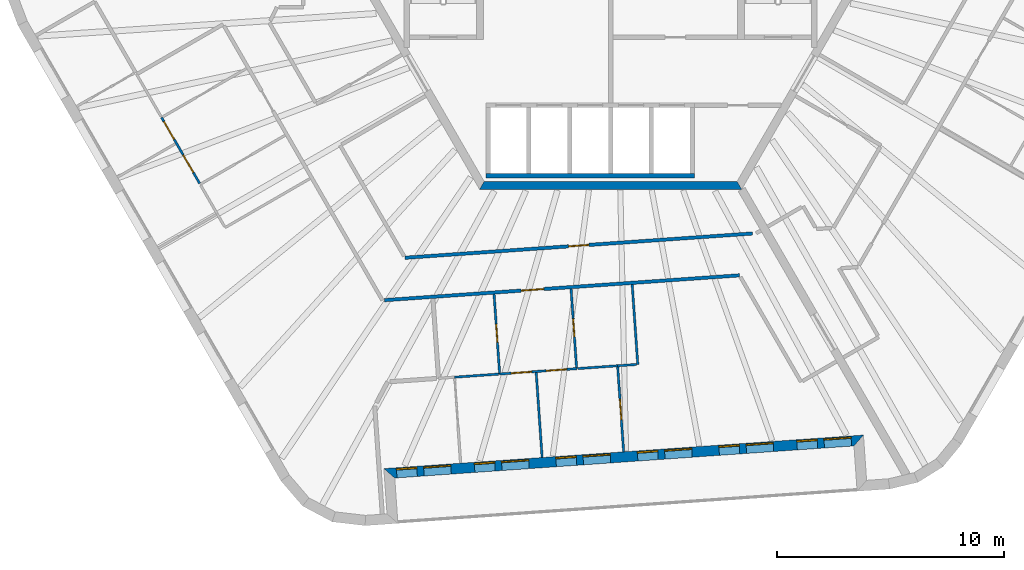
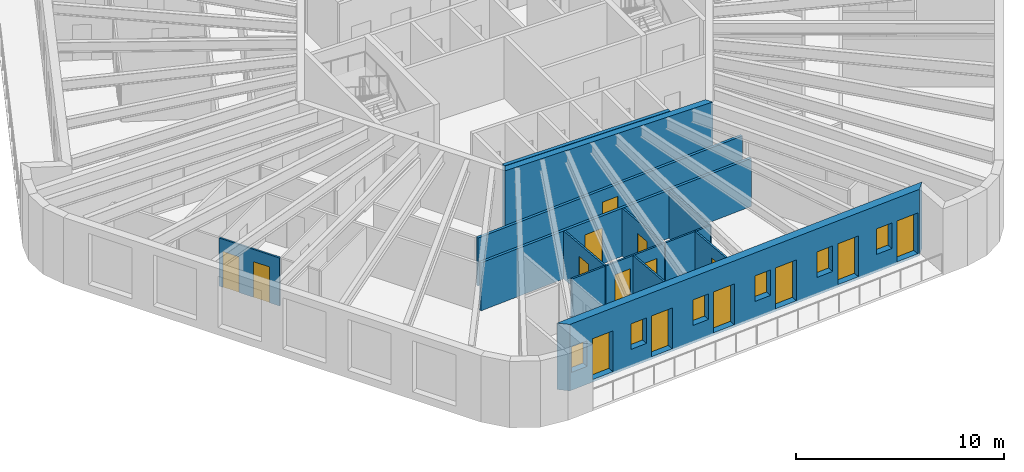
# One storey, part 3 of 11: 15 doors, 15 walls, 6 windows, 21 openings.
"""IFC4 building model written with IfcOpenShell, lengths in metres."""

from ifc_helpers import new_model, si_unit, direction, frame, frame_2d, origin, place, context, subcontext, project, spatial, polyline, rectangle, outline, extrude, material, layer, layer_set, type_object, element, fill, save


model = new_model("IFC4")

# Units and contexts
model_context = context("Model", 3, precision=1e-05, world=origin(), true_north=direction((0.0, 1.0)))
body_context = subcontext(model_context, "Body", "Model", "MODEL_VIEW")
ifc_project = project(units=[si_unit("LENGTHUNIT", "METRE"), si_unit("AREAUNIT", "SQUARE_METRE"), si_unit("VOLUMEUNIT", "CUBIC_METRE"), si_unit("PLANEANGLEUNIT", "RADIAN"), si_unit("MASSUNIT", "GRAM", prefix="KILO")], contexts=[model_context])

# Site, building, storey
site_placement = place(None, origin())
site = spatial("IfcSite", under=ifc_project, at=site_placement, CompositionType="ELEMENT")
building_placement = place(site_placement, origin())
building = spatial("IfcBuilding", under=site, at=building_placement, Name="Tarnside Tower", CompositionType="ELEMENT")
storey_placement = place(building_placement, frame((0.0, 0.0, 365.10009765625)))
storey = spatial("IfcBuildingStorey", under=building, at=storey_placement, Name="L88", CompositionType="ELEMENT", Elevation=365.10009765625)

# Walls
ifc_material_1 = material(Name="Gypsum board partition on steel studs", Category="steel")
ifc_layer_1 = layer(ifc_material_1, 0.10009765625)
ifc_layer_set_1 = layer_set([ifc_layer_1], Name="Bathroom wall 100")
wall_type_1 = type_object("IfcWallType", Name="Bathroom wall 100", PredefinedType="PARTITIONING", material=ifc_layer_set_1)
wall_1_placement = place(storey_placement, frame((0.950439453125, -14.193359375, 0.0), z_axis=(0.0, 0.0, 1.0), x_axis=(0.069745730407, -0.997564801449, 0.0)))
element("IfcWall", 1, at=wall_1_placement, inside=storey, type_object=wall_type_1, Name="Bathroom wall 28116", PredefinedType="PARTITIONING", context=body_context, shape_type="SweptSolid", body=[
    extrude(rectangle(XDim=3.52490234375, YDim=0.10009765625, at=frame_2d((1.762451171875, 0.0))), origin(), (0.0, 0.0, 1.0), 2.81982421875),
])
wall_2_placement = place(storey_placement, frame((1.146484375, -17.713134765625, 0.0), z_axis=(0.0, 0.0, 1.0), x_axis=(-0.997553508491, -0.069907064713, 0.0)))
element("IfcWall", 2, at=wall_2_placement, inside=storey, type_object=wall_type_1, Name="Bathroom wall 28117", PredefinedType="PARTITIONING", context=body_context, shape_type="SweptSolid", body=[
    extrude(rectangle(XDim=0.841552734375, YDim=0.10009765625, at=frame_2d((0.4208984375, 0.0))), origin(), (0.0, 0.0, 1.0), 2.81982421875),
])

# Wall, opening, door
wall_3_placement = place(storey_placement, frame((-5.134765625, -14.618896484375, 0.0), z_axis=(0.0, 0.0, 1.0), x_axis=(0.069814653895, -0.997559980202, 0.0)))
wall_3 = element("IfcWall", 3, at=wall_3_placement, inside=storey, type_object=wall_type_1, Name="Bathroom wall 28118", PredefinedType="PARTITIONING", context=body_context, shape_type="SweptSolid", body=[
    extrude(rectangle(XDim=3.52490234375, YDim=0.10009765625, at=frame_2d((1.762451171875, 0.0))), origin(), (0.0, 0.0, 1.0), 2.81982421875),
])
opening_1_placement = place(wall_3_placement, frame((1.324951171875, 0.0, 0.0)))
opening_1 = element("IfcOpeningElement", 4, at=opening_1_placement, cuts=wall_3, Name="Opening D-B1", PredefinedType="OPENING", context=body_context, shape_type="SweptSolid", body=[
    extrude(rectangle(XDim=0.800048828125, YDim=2.10009765625, at=frame_2d((0.39990234375, 1.050048828125))), frame((0.0, 0.06005859375, 0.0), z_axis=(0.0, -1.0, 0.0), x_axis=(1.0, 0.0, 0.0)), (0.0, 0.0, 1.0), 0.1201171875),
])
ifc_material_2 = material(Name="Timber door leaf", Category="wood")
door_type_1 = type_object("IfcDoorType", Name="Bathroom door 800", OperationType="NOTDEFINED", PredefinedType="DOOR", material=ifc_material_2)
door_1_placement = place(opening_1_placement, origin())
door_1 = element("IfcDoor", 5, at=door_1_placement, inside=storey, type_object=door_type_1, Name="Bathroom door 28040", OperationType="SINGLE_SWING_RIGHT", OverallHeight=2.10009765625, OverallWidth=0.800048828125, PredefinedType="DOOR", context=body_context, shape_type="SweptSolid", body=[
    extrude(rectangle(XDim=0.800048828125, YDim=2.10009765625, at=frame_2d((0.39990234375, 1.050048828125))), frame((0.0, 0.02490234375, 0.0), z_axis=(0.0, -1.0, 0.0), x_axis=(1.0, 0.0, 0.0)), (0.0, 0.0, 1.0), 0.050048828125),
])
fill(opening_1, door_1)

wall_4_placement = place(storey_placement, frame((-1.4970703125, -17.89794921875, 0.0), z_axis=(0.0, 0.0, 1.0), x_axis=(-0.069745730407, 0.997564801449, 0.0)))
wall_4 = element("IfcWall", 6, at=wall_4_placement, inside=storey, type_object=wall_type_1, Name="Bathroom wall 28121", PredefinedType="PARTITIONING", context=body_context, shape_type="SweptSolid", body=[
    extrude(rectangle(XDim=3.52490234375, YDim=0.10009765625, at=frame_2d((1.762451171875, 0.0))), origin(), (0.0, 0.0, 1.0), 2.81982421875),
])
opening_2_placement = place(wall_4_placement, frame((1.39990234375, 0.0, 0.0)))
opening_2 = element("IfcOpeningElement", 7, at=opening_2_placement, cuts=wall_4, Name="Opening D-B1", PredefinedType="OPENING", context=body_context, shape_type="SweptSolid", body=[
    extrude(rectangle(XDim=0.800048828125, YDim=2.10009765625, at=frame_2d((0.39990234375, 1.050048828125))), frame((0.0, 0.06005859375, 0.0), z_axis=(0.0, -1.0, 0.0), x_axis=(1.0, 0.0, 0.0)), (0.0, 0.0, 1.0), 0.1201171875),
])
door_2_placement = place(opening_2_placement, origin())
door_2 = element("IfcDoor", 8, at=door_2_placement, inside=storey, type_object=door_type_1, Name="Bathroom door 28051", OperationType="SINGLE_SWING_LEFT", OverallHeight=2.10009765625, OverallWidth=0.800048828125, PredefinedType="DOOR", context=body_context, shape_type="SweptSolid", body=[
    extrude(rectangle(XDim=0.800048828125, YDim=2.10009765625, at=frame_2d((0.39990234375, 1.050048828125))), frame((0.0, 0.02490234375, 0.0), z_axis=(0.0, -1.0, 0.0), x_axis=(1.0, 0.0, 0.0)), (0.0, 0.0, 1.0), 0.050048828125),
])
fill(opening_2, door_2)

# Walls
wall_5_placement = place(storey_placement, frame((-6.87353515625, -18.27392578125, 0.0), z_axis=(0.0, 0.0, 1.0), x_axis=(0.997562294187, 0.069781582212, 0.0)))
element("IfcWall", 9, at=wall_5_placement, inside=storey, type_object=wall_type_1, Name="Bathroom wall 28123", PredefinedType="PARTITIONING", context=body_context, shape_type="SweptSolid", body=[
    extrude(rectangle(XDim=1.941650390625, YDim=0.10009765625, at=frame_2d((0.970703125, 0.0))), origin(), (0.0, 0.0, 1.0), 2.81982421875),
])
wall_6_placement = place(storey_placement, frame((0.310791015625, -17.771484375, 0.0), z_axis=(0.0, 0.0, 1.0), x_axis=(-0.997559642586, -0.069819477831, 0.0)))
element("IfcWall", 10, at=wall_6_placement, inside=storey, type_object=wall_type_1, Name="Bathroom wall 28126", PredefinedType="PARTITIONING", context=body_context, shape_type="SweptSolid", body=[
    extrude(rectangle(XDim=1.762451171875, YDim=0.10009765625, at=frame_2d((0.88134765625, 0.0))), origin(), (0.0, 0.0, 1.0), 2.81982421875),
])
ifc_material_3 = material(Name="Concrete C50/60", Category="concrete")
ifc_layer_2 = layer(ifc_material_3, 0.35009765625)
ifc_layer_set_2 = layer_set([ifc_layer_2], Name="Core wall Z4 350 C50/60")
wall_type_2 = type_object("IfcWallType", Name="Core wall Z4 350 C50/60", PredefinedType="SHEAR", material=ifc_layer_set_2)
wall_7_placement = place(storey_placement, frame((-5.672607421875, -9.824951171875, -0.150146484375), z_axis=(0.0, 0.0, 1.0), x_axis=(1.0, 0.0, 0.0)))
element("IfcWall", 11, at=wall_7_placement, inside=storey, type_object=wall_type_2, Name="L88 core wall face 4", PredefinedType="SHEAR", context=body_context, shape_type="SweptSolid", body=[
    extrude(outline(polyline([(-0.10107421875, -0.175048828125), (11.4462890625, -0.175048828125), (11.244140625, 0.175048828125), (0.10107421875, 0.175048828125), (-0.10107421875, -0.175048828125)])), origin(), (0.0, 0.0, 1.0), 3.900146484375),
])

# Wall, opening, door
ifc_layer_3 = layer(ifc_material_1, 0.14990234375)
ifc_layer_set_3 = layer_set([ifc_layer_3], Name="Corridor wall 150 EI 60")
wall_type_3 = type_object("IfcWallType", Name="Corridor wall 150 EI 60", PredefinedType="PARTITIONING", material=ifc_layer_set_3)
wall_8_placement = place(storey_placement, frame((-9.9697265625, -14.881591796875, 0.0), z_axis=(0.0, 0.0, 1.0), x_axis=(0.997564384496, 0.06975169378, 0.0)))
wall_8 = element("IfcWall", 12, at=wall_8_placement, inside=storey, type_object=wall_type_3, Name="Corridor wall 28027", PredefinedType="PARTITIONING", context=body_context, shape_type="SweptSolid", body=[
    extrude(rectangle(XDim=15.687744140625, YDim=0.14990234375, at=frame_2d((7.84375, 0.0))), origin(), (0.0, 0.0, 1.0), 2.81982421875),
])
opening_3_placement = place(wall_8_placement, frame((6.041748046875, 0.0, 0.0)))
opening_3 = element("IfcOpeningElement", 13, at=opening_3_placement, cuts=wall_8, Name="Opening D-E1", PredefinedType="OPENING", context=body_context, shape_type="SweptSolid", body=[
    extrude(rectangle(XDim=1.0, YDim=2.10009765625, at=frame_2d((0.5, 1.050048828125))), frame((0.0, 0.0849609375, 0.0), z_axis=(0.0, -1.0, 0.0), x_axis=(1.0, 0.0, 0.0)), (0.0, 0.0, 1.0), 0.169921875),
])
door_type_2 = type_object("IfcDoorType", Name="Unit entrance door 1000 FD30S", OperationType="NOTDEFINED", PredefinedType="DOOR", material=ifc_material_2)
door_3_placement = place(opening_3_placement, origin())
door_3 = element("IfcDoor", 14, at=door_3_placement, inside=storey, type_object=door_type_2, Name="Unit door 28039", OperationType="SINGLE_SWING_LEFT", OverallHeight=2.10009765625, OverallWidth=1.0, PredefinedType="DOOR", context=body_context, shape_type="SweptSolid", body=[
    extrude(rectangle(XDim=1.0, YDim=2.10009765625, at=frame_2d((0.5, 1.050048828125))), frame((0.0, 0.02490234375, 0.0), z_axis=(0.0, -1.0, 0.0), x_axis=(1.0, 0.0, 0.0)), (0.0, 0.0, 1.0), 0.050048828125),
])
fill(opening_3, door_3)

wall_9_placement = place(storey_placement, frame((6.24462890625, -11.943603515625, 0.0), z_axis=(0.0, 0.0, 1.0), x_axis=(-0.997564707029, -0.069747080866, 0.0)))
wall_9 = element("IfcWall", 15, at=wall_9_placement, inside=storey, type_object=wall_type_3, Name="Corridor wall 28046", PredefinedType="PARTITIONING", context=body_context, shape_type="SweptSolid", body=[
    extrude(rectangle(XDim=15.338623046875, YDim=0.14990234375, at=frame_2d((7.66943359375, 0.0))), origin(), (0.0, 0.0, 1.0), 2.81982421875),
])
opening_4_placement = place(wall_9_placement, frame((7.21923828125, 0.0, 0.0)))
opening_4 = element("IfcOpeningElement", 16, at=opening_4_placement, cuts=wall_9, Name="Opening D-S1", PredefinedType="OPENING", context=body_context, shape_type="SweptSolid", body=[
    extrude(rectangle(XDim=0.89990234375, YDim=2.10009765625, at=frame_2d((0.449951171875, 1.050048828125))), frame((0.0, 0.0849609375, 0.0), z_axis=(0.0, -1.0, 0.0), x_axis=(1.0, 0.0, 0.0)), (0.0, 0.0, 1.0), 0.169921875),
])
door_type_3 = type_object("IfcDoorType", Name="Service room door 900 FD30S", OperationType="NOTDEFINED", PredefinedType="DOOR", material=ifc_material_2)
door_4_placement = place(opening_4_placement, origin())
door_4 = element("IfcDoor", 17, at=door_4_placement, inside=storey, type_object=door_type_3, Name="Service door 28066", OperationType="SINGLE_SWING_RIGHT", OverallHeight=2.10009765625, OverallWidth=0.89990234375, PredefinedType="DOOR", context=body_context, shape_type="SweptSolid", body=[
    extrude(rectangle(XDim=0.89990234375, YDim=2.10009765625, at=frame_2d((0.449951171875, 1.050048828125))), frame((0.0, 0.02490234375, 0.0), z_axis=(0.0, -1.0, 0.0), x_axis=(1.0, 0.0, 0.0)), (0.0, 0.0, 1.0), 0.050048828125),
])
fill(opening_4, door_4)

# Wall
ifc_material_4 = material(Name="Concrete C40/50", Category="concrete")
ifc_layer_4 = layer(ifc_material_4, 0.199951171875)
ifc_layer_set_4 = layer_set([ifc_layer_4], Name="Lift shaft wall 200 C40/50")
wall_type_4 = type_object("IfcWallType", Name="Lift shaft wall 200 C40/50", PredefinedType="SHEAR", material=ifc_layer_set_4)
wall_10_placement = place(storey_placement, frame((-5.5, -9.39990234375, -0.25), z_axis=(0.0, 0.0, 1.0), x_axis=(1.0, 0.0, 0.0)))
element("IfcWall", 18, at=wall_10_placement, inside=storey, type_object=wall_type_4, Name="L88 lift shaft back wall R4", PredefinedType="SHEAR", context=body_context, shape_type="SweptSolid", body=[
    extrude(rectangle(XDim=9.199951171875, YDim=0.199951171875, at=frame_2d((4.60009765625, 0.0))), origin(), (0.0, 0.0, 1.0), 3.89990234375),
])

# Wall, openings, doors, windows
ifc_material_5 = material(Name="Dark zinc cladding")
ifc_layer_5 = layer(ifc_material_5, 0.10205078125)
ifc_material_6 = material(Name="Concrete C60/75 precast", Category="concrete")
ifc_layer_6 = layer(ifc_material_6, 0.248046875)
ifc_material_7 = material(Name="Mineral wool insulation")
ifc_layer_7 = layer(ifc_material_7, 0.10009765625)
ifc_layer_set_5 = layer_set([ifc_layer_5, ifc_layer_6, ifc_layer_7], Name="Loggia wall 450 zinc faced")
wall_type_5 = type_object("IfcWallType", Name="Loggia wall 450 zinc faced", PredefinedType="SOLIDWALL", material=ifc_layer_set_5)
wall_11_placement = place(storey_placement, frame((-9.7509765625, -22.510009765625, -0.150146484375), z_axis=(0.0, 0.0, 1.0), x_axis=(0.997564460173, 0.06975061147, 0.0)))
wall_11 = element("IfcWall", 19, at=wall_11_placement, inside=storey, type_object=wall_type_5, Name="Tube wall L88 F4 back 18", PredefinedType="SOLIDWALL", context=body_context, shape_type="SweptSolid", body=[
    extrude(outline(polyline([(0.224853515625, -0.22509765625), (20.5068359375, -0.22509765625), (20.95654296875, 0.22509765625), (-0.224853515625, 0.22509765625), (0.224853515625, -0.22509765625)])), origin(), (0.0, 0.0, 1.0), 3.900146484375),
])
opening_5_placement = place(wall_11_placement, frame((0.324951171875, 0.0, 1.050048828125)))
opening_5 = element("IfcOpeningElement", 20, at=opening_5_placement, cuts=wall_11, Name="Opening WL450", PredefinedType="OPENING", context=body_context, shape_type="SweptSolid", body=[
    extrude(rectangle(XDim=0.89990234375, YDim=1.5, at=frame_2d((0.449951171875, 0.75))), frame((0.0, 0.23486328125, 0.0), z_axis=(0.0, -1.0, 0.0), x_axis=(1.0, 0.0, 0.0)), (0.0, 0.0, 1.0), 0.469970703125),
])
opening_6_placement = place(wall_11_placement, frame((1.52490234375, 0.0, 0.14990234375)))
opening_6 = element("IfcOpeningElement", 21, at=opening_6_placement, cuts=wall_11, Name="Opening DB450", PredefinedType="OPENING", context=body_context, shape_type="SweptSolid", body=[
    extrude(rectangle(XDim=1.199951171875, YDim=2.39990234375, at=frame_2d((0.60009765625, 1.199951171875))), frame((0.0, 0.23486328125, 0.0), z_axis=(0.0, -1.0, 0.0), x_axis=(1.0, 0.0, 0.0)), (0.0, 0.0, 1.0), 0.469970703125),
])
opening_7_placement = place(wall_11_placement, frame((3.765869140625, 0.0, 1.050048828125)))
opening_7 = element("IfcOpeningElement", 22, at=opening_7_placement, cuts=wall_11, Name="Opening WL450", PredefinedType="OPENING", context=body_context, shape_type="SweptSolid", body=[
    extrude(rectangle(XDim=0.89990234375, YDim=1.5, at=frame_2d((0.449951171875, 0.75))), frame((0.0, 0.23486328125, 0.0), z_axis=(0.0, -1.0, 0.0), x_axis=(1.0, 0.0, 0.0)), (0.0, 0.0, 1.0), 0.469970703125),
])
opening_8_placement = place(wall_11_placement, frame((4.9658203125, 0.0, 0.14990234375)))
opening_8 = element("IfcOpeningElement", 23, at=opening_8_placement, cuts=wall_11, Name="Opening DB450", PredefinedType="OPENING", context=body_context, shape_type="SweptSolid", body=[
    extrude(rectangle(XDim=1.199951171875, YDim=2.39990234375, at=frame_2d((0.60009765625, 1.199951171875))), frame((0.0, 0.23486328125, 0.0), z_axis=(0.0, -1.0, 0.0), x_axis=(1.0, 0.0, 0.0)), (0.0, 0.0, 1.0), 0.469970703125),
])
opening_9_placement = place(wall_11_placement, frame((7.36572265625, 0.0, 1.050048828125)))
opening_9 = element("IfcOpeningElement", 24, at=opening_9_placement, cuts=wall_11, Name="Opening WL450", PredefinedType="OPENING", context=body_context, shape_type="SweptSolid", body=[
    extrude(rectangle(XDim=0.89990234375, YDim=1.5, at=frame_2d((0.449951171875, 0.75))), frame((0.0, 0.23486328125, 0.0), z_axis=(0.0, -1.0, 0.0), x_axis=(1.0, 0.0, 0.0)), (0.0, 0.0, 1.0), 0.469970703125),
])
opening_10_placement = place(wall_11_placement, frame((8.56591796875, 0.0, 0.14990234375)))
opening_10 = element("IfcOpeningElement", 25, at=opening_10_placement, cuts=wall_11, Name="Opening DB450", PredefinedType="OPENING", context=body_context, shape_type="SweptSolid", body=[
    extrude(rectangle(XDim=1.199951171875, YDim=2.39990234375, at=frame_2d((0.60009765625, 1.199951171875))), frame((0.0, 0.23486328125, 0.0), z_axis=(0.0, -1.0, 0.0), x_axis=(1.0, 0.0, 0.0)), (0.0, 0.0, 1.0), 0.469970703125),
])
opening_11_placement = place(wall_11_placement, frame((10.9658203125, 0.0, 1.050048828125)))
opening_11 = element("IfcOpeningElement", 26, at=opening_11_placement, cuts=wall_11, Name="Opening WL450", PredefinedType="OPENING", context=body_context, shape_type="SweptSolid", body=[
    extrude(rectangle(XDim=0.89990234375, YDim=1.5, at=frame_2d((0.449951171875, 0.75))), frame((0.0, 0.23486328125, 0.0), z_axis=(0.0, -1.0, 0.0), x_axis=(1.0, 0.0, 0.0)), (0.0, 0.0, 1.0), 0.469970703125),
])
opening_12_placement = place(wall_11_placement, frame((12.165771484375, 0.0, 0.14990234375)))
opening_12 = element("IfcOpeningElement", 27, at=opening_12_placement, cuts=wall_11, Name="Opening DB450", PredefinedType="OPENING", context=body_context, shape_type="SweptSolid", body=[
    extrude(rectangle(XDim=1.199951171875, YDim=2.39990234375, at=frame_2d((0.60009765625, 1.199951171875))), frame((0.0, 0.23486328125, 0.0), z_axis=(0.0, -1.0, 0.0), x_axis=(1.0, 0.0, 0.0)), (0.0, 0.0, 1.0), 0.469970703125),
])
opening_13_placement = place(wall_11_placement, frame((14.56591796875, 0.0, 1.050048828125)))
opening_13 = element("IfcOpeningElement", 28, at=opening_13_placement, cuts=wall_11, Name="Opening WL450", PredefinedType="OPENING", context=body_context, shape_type="SweptSolid", body=[
    extrude(rectangle(XDim=0.89990234375, YDim=1.5, at=frame_2d((0.449951171875, 0.75))), frame((0.0, 0.23486328125, 0.0), z_axis=(0.0, -1.0, 0.0), x_axis=(1.0, 0.0, 0.0)), (0.0, 0.0, 1.0), 0.469970703125),
])
opening_14_placement = place(wall_11_placement, frame((15.765869140625, 0.0, 0.14990234375)))
opening_14 = element("IfcOpeningElement", 29, at=opening_14_placement, cuts=wall_11, Name="Opening DB450", PredefinedType="OPENING", context=body_context, shape_type="SweptSolid", body=[
    extrude(rectangle(XDim=1.199951171875, YDim=2.39990234375, at=frame_2d((0.60009765625, 1.199951171875))), frame((0.0, 0.23486328125, 0.0), z_axis=(0.0, -1.0, 0.0), x_axis=(1.0, 0.0, 0.0)), (0.0, 0.0, 1.0), 0.469970703125),
])
opening_15_placement = place(wall_11_placement, frame((18.006591796875, 0.0, 1.050048828125)))
opening_15 = element("IfcOpeningElement", 30, at=opening_15_placement, cuts=wall_11, Name="Opening WL450", PredefinedType="OPENING", context=body_context, shape_type="SweptSolid", body=[
    extrude(rectangle(XDim=0.89990234375, YDim=1.5, at=frame_2d((0.449951171875, 0.75))), frame((0.0, 0.23486328125, 0.0), z_axis=(0.0, -1.0, 0.0), x_axis=(1.0, 0.0, 0.0)), (0.0, 0.0, 1.0), 0.469970703125),
])
opening_16_placement = place(wall_11_placement, frame((19.20654296875, 0.0, 0.14990234375)))
opening_16 = element("IfcOpeningElement", 31, at=opening_16_placement, cuts=wall_11, Name="Opening DB450", PredefinedType="OPENING", context=body_context, shape_type="SweptSolid", body=[
    extrude(rectangle(XDim=1.199951171875, YDim=2.39990234375, at=frame_2d((0.60009765625, 1.199951171875))), frame((0.0, 0.23486328125, 0.0), z_axis=(0.0, -1.0, 0.0), x_axis=(1.0, 0.0, 0.0)), (0.0, 0.0, 1.0), 0.469970703125),
])
ifc_material_8 = material(Name="Aluminium-framed double glazing", Category="aluminium")
door_type_4 = type_object("IfcDoorType", Name="Balcony sliding door 1200 x 2400 in 450 wall", OperationType="SLIDING_TO_LEFT", PredefinedType="DOOR", material=ifc_material_8)
door_5_placement = place(opening_6_placement, frame((0.0, 0.150146484375, 0.0)))
door_5 = element("IfcDoor", 32, at=door_5_placement, inside=storey, type_object=door_type_4, Name="E.BD.L88.F4.00", OperationType="SLIDING_TO_LEFT", OverallHeight=2.39990234375, OverallWidth=1.199951171875, PredefinedType="DOOR", context=body_context, shape_type="SweptSolid", body=[
    extrude(rectangle(XDim=1.199951171875, YDim=2.39990234375, at=frame_2d((0.60009765625, 1.199951171875))), frame((0.0, 0.02490234375, 0.0), z_axis=(0.0, -1.0, 0.0), x_axis=(1.0, 0.0, 0.0)), (0.0, 0.0, 1.0), 0.050048828125),
])
fill(opening_6, door_5)
door_6_placement = place(opening_8_placement, frame((0.0, 0.150146484375, 0.0)))
door_6 = element("IfcDoor", 33, at=door_6_placement, inside=storey, type_object=door_type_4, Name="E.BD.L88.F4.01", OperationType="SLIDING_TO_LEFT", OverallHeight=2.39990234375, OverallWidth=1.199951171875, PredefinedType="DOOR", context=body_context, shape_type="SweptSolid", body=[
    extrude(rectangle(XDim=1.199951171875, YDim=2.39990234375, at=frame_2d((0.60009765625, 1.199951171875))), frame((0.0, 0.02490234375, 0.0), z_axis=(0.0, -1.0, 0.0), x_axis=(1.0, 0.0, 0.0)), (0.0, 0.0, 1.0), 0.050048828125),
])
fill(opening_8, door_6)
door_7_placement = place(opening_10_placement, frame((0.0, 0.150146484375, 0.0)))
door_7 = element("IfcDoor", 34, at=door_7_placement, inside=storey, type_object=door_type_4, Name="E.BD.L88.F4.02", OperationType="SLIDING_TO_LEFT", OverallHeight=2.39990234375, OverallWidth=1.199951171875, PredefinedType="DOOR", context=body_context, shape_type="SweptSolid", body=[
    extrude(rectangle(XDim=1.199951171875, YDim=2.39990234375, at=frame_2d((0.60009765625, 1.199951171875))), frame((0.0, 0.02490234375, 0.0), z_axis=(0.0, -1.0, 0.0), x_axis=(1.0, 0.0, 0.0)), (0.0, 0.0, 1.0), 0.050048828125),
])
fill(opening_10, door_7)
door_8_placement = place(opening_12_placement, frame((0.0, 0.150146484375, 0.0)))
door_8 = element("IfcDoor", 35, at=door_8_placement, inside=storey, type_object=door_type_4, Name="E.BD.L88.F4.03", OperationType="SLIDING_TO_LEFT", OverallHeight=2.39990234375, OverallWidth=1.199951171875, PredefinedType="DOOR", context=body_context, shape_type="SweptSolid", body=[
    extrude(rectangle(XDim=1.199951171875, YDim=2.39990234375, at=frame_2d((0.60009765625, 1.199951171875))), frame((0.0, 0.02490234375, 0.0), z_axis=(0.0, -1.0, 0.0), x_axis=(1.0, 0.0, 0.0)), (0.0, 0.0, 1.0), 0.050048828125),
])
fill(opening_12, door_8)
door_9_placement = place(opening_14_placement, frame((0.0, 0.150146484375, 0.0)))
door_9 = element("IfcDoor", 36, at=door_9_placement, inside=storey, type_object=door_type_4, Name="E.BD.L88.F4.04", OperationType="SLIDING_TO_LEFT", OverallHeight=2.39990234375, OverallWidth=1.199951171875, PredefinedType="DOOR", context=body_context, shape_type="SweptSolid", body=[
    extrude(rectangle(XDim=1.199951171875, YDim=2.39990234375, at=frame_2d((0.60009765625, 1.199951171875))), frame((0.0, 0.02490234375, 0.0), z_axis=(0.0, -1.0, 0.0), x_axis=(1.0, 0.0, 0.0)), (0.0, 0.0, 1.0), 0.050048828125),
])
fill(opening_14, door_9)
door_10_placement = place(opening_16_placement, frame((0.0, 0.150146484375, 0.0)))
door_10 = element("IfcDoor", 37, at=door_10_placement, inside=storey, type_object=door_type_4, Name="E.BD.L88.F4.05", OperationType="SLIDING_TO_LEFT", OverallHeight=2.39990234375, OverallWidth=1.199951171875, PredefinedType="DOOR", context=body_context, shape_type="SweptSolid", body=[
    extrude(rectangle(XDim=1.199951171875, YDim=2.39990234375, at=frame_2d((0.60009765625, 1.199951171875))), frame((0.0, 0.02490234375, 0.0), z_axis=(0.0, -1.0, 0.0), x_axis=(1.0, 0.0, 0.0)), (0.0, 0.0, 1.0), 0.050048828125),
])
fill(opening_16, door_10)
window_type = type_object("IfcWindowType", Name="Loggia window 900 x 1500 in 450 wall", PartitioningType="SINGLE_PANEL", PredefinedType="WINDOW", material=ifc_material_8)
window_1_placement = place(opening_5_placement, frame((0.0, 0.1552734375, 0.0)))
window_1 = element("IfcWindow", 38, at=window_1_placement, inside=storey, type_object=window_type, Name="E.LW.L88.F4.00", OverallHeight=1.5, OverallWidth=0.89990234375, PartitioningType="SINGLE_PANEL", PredefinedType="WINDOW", context=body_context, shape_type="SweptSolid", body=[
    extrude(rectangle(XDim=0.89990234375, YDim=1.5, at=frame_2d((0.449951171875, 0.75))), frame((0.0, 0.030029296875, 0.0), z_axis=(0.0, -1.0, 0.0), x_axis=(1.0, 0.0, 0.0)), (0.0, 0.0, 1.0), 0.06005859375),
])
fill(opening_5, window_1)
window_2_placement = place(opening_7_placement, frame((0.0, 0.1552734375, 0.0)))
window_2 = element("IfcWindow", 39, at=window_2_placement, inside=storey, type_object=window_type, Name="E.LW.L88.F4.01", OverallHeight=1.5, OverallWidth=0.89990234375, PartitioningType="SINGLE_PANEL", PredefinedType="WINDOW", context=body_context, shape_type="SweptSolid", body=[
    extrude(rectangle(XDim=0.89990234375, YDim=1.5, at=frame_2d((0.449951171875, 0.75))), frame((0.0, 0.030029296875, 0.0), z_axis=(0.0, -1.0, 0.0), x_axis=(1.0, 0.0, 0.0)), (0.0, 0.0, 1.0), 0.06005859375),
])
fill(opening_7, window_2)
window_3_placement = place(opening_9_placement, frame((0.0, 0.1552734375, 0.0)))
window_3 = element("IfcWindow", 40, at=window_3_placement, inside=storey, type_object=window_type, Name="E.LW.L88.F4.02", OverallHeight=1.5, OverallWidth=0.89990234375, PartitioningType="SINGLE_PANEL", PredefinedType="WINDOW", context=body_context, shape_type="SweptSolid", body=[
    extrude(rectangle(XDim=0.89990234375, YDim=1.5, at=frame_2d((0.449951171875, 0.75))), frame((0.0, 0.030029296875, 0.0), z_axis=(0.0, -1.0, 0.0), x_axis=(1.0, 0.0, 0.0)), (0.0, 0.0, 1.0), 0.06005859375),
])
fill(opening_9, window_3)
window_4_placement = place(opening_11_placement, frame((0.0, 0.1552734375, 0.0)))
window_4 = element("IfcWindow", 41, at=window_4_placement, inside=storey, type_object=window_type, Name="E.LW.L88.F4.03", OverallHeight=1.5, OverallWidth=0.89990234375, PartitioningType="SINGLE_PANEL", PredefinedType="WINDOW", context=body_context, shape_type="SweptSolid", body=[
    extrude(rectangle(XDim=0.89990234375, YDim=1.5, at=frame_2d((0.449951171875, 0.75))), frame((0.0, 0.030029296875, 0.0), z_axis=(0.0, -1.0, 0.0), x_axis=(1.0, 0.0, 0.0)), (0.0, 0.0, 1.0), 0.06005859375),
])
fill(opening_11, window_4)
window_5_placement = place(opening_13_placement, frame((0.0, 0.1552734375, 0.0)))
window_5 = element("IfcWindow", 42, at=window_5_placement, inside=storey, type_object=window_type, Name="E.LW.L88.F4.04", OverallHeight=1.5, OverallWidth=0.89990234375, PartitioningType="SINGLE_PANEL", PredefinedType="WINDOW", context=body_context, shape_type="SweptSolid", body=[
    extrude(rectangle(XDim=0.89990234375, YDim=1.5, at=frame_2d((0.449951171875, 0.75))), frame((0.0, 0.030029296875, 0.0), z_axis=(0.0, -1.0, 0.0), x_axis=(1.0, 0.0, 0.0)), (0.0, 0.0, 1.0), 0.06005859375),
])
fill(opening_13, window_5)
window_6_placement = place(opening_15_placement, frame((0.0, 0.1552734375, 0.0)))
window_6 = element("IfcWindow", 43, at=window_6_placement, inside=storey, type_object=window_type, Name="E.LW.L88.F4.05", OverallHeight=1.5, OverallWidth=0.89990234375, PartitioningType="SINGLE_PANEL", PredefinedType="WINDOW", context=body_context, shape_type="SweptSolid", body=[
    extrude(rectangle(XDim=0.89990234375, YDim=1.5, at=frame_2d((0.449951171875, 0.75))), frame((0.0, 0.030029296875, 0.0), z_axis=(0.0, -1.0, 0.0), x_axis=(1.0, 0.0, 0.0)), (0.0, 0.0, 1.0), 0.06005859375),
])
fill(opening_15, window_6)

# Wall, openings, doors
ifc_layer_8 = layer(ifc_material_1, 0.10009765625)
ifc_layer_set_6 = layer_set([ifc_layer_8], Name="Partition 100")
wall_type_6 = type_object("IfcWallType", Name="Partition 100", PredefinedType="PARTITIONING", material=ifc_layer_set_6)
wall_12_placement = place(storey_placement, frame((-19.78515625, -6.8310546875, 0.0), z_axis=(0.0, 0.0, 1.0), x_axis=(0.499982885398, -0.866035284679, 0.0)))
wall_12 = element("IfcWall", 44, at=wall_12_placement, inside=storey, type_object=wall_type_6, Name="Partition wall 28108", PredefinedType="PARTITIONING", context=body_context, shape_type="SweptSolid", body=[
    extrude(rectangle(XDim=3.35400390625, YDim=0.10009765625, at=frame_2d((1.677001953125, 0.0))), origin(), (0.0, 0.0, 1.0), 2.81982421875),
])
opening_17_placement = place(wall_12_placement, frame((0.208251953125, 0.0, 0.0)))
opening_17 = element("IfcOpeningElement", 45, at=opening_17_placement, cuts=wall_12, Name="Opening D-I1", PredefinedType="OPENING", context=body_context, shape_type="SweptSolid", body=[
    extrude(rectangle(XDim=0.89990234375, YDim=2.10009765625, at=frame_2d((0.449951171875, 1.050048828125))), frame((0.0, 0.06005859375, 0.0), z_axis=(0.0, -1.0, 0.0), x_axis=(1.0, 0.0, 0.0)), (0.0, 0.0, 1.0), 0.1201171875),
])
opening_18_placement = place(wall_12_placement, frame((1.905029296875, 0.0, 0.0)))
opening_18 = element("IfcOpeningElement", 46, at=opening_18_placement, cuts=wall_12, Name="Opening D-I1", PredefinedType="OPENING", context=body_context, shape_type="SweptSolid", body=[
    extrude(rectangle(XDim=0.89990234375, YDim=2.10009765625, at=frame_2d((0.449951171875, 1.050048828125))), frame((0.0, 0.06005859375, 0.0), z_axis=(0.0, -1.0, 0.0), x_axis=(1.0, 0.0, 0.0)), (0.0, 0.0, 1.0), 0.1201171875),
])
door_type_5 = type_object("IfcDoorType", Name="Internal door 900", OperationType="NOTDEFINED", PredefinedType="DOOR", material=ifc_material_2)
door_11_placement = place(opening_17_placement, origin())
door_11 = element("IfcDoor", 47, at=door_11_placement, inside=storey, type_object=door_type_5, Name="Internal door 28030", OperationType="SINGLE_SWING_LEFT", OverallHeight=2.10009765625, OverallWidth=0.89990234375, PredefinedType="DOOR", context=body_context, shape_type="SweptSolid", body=[
    extrude(rectangle(XDim=0.89990234375, YDim=2.10009765625, at=frame_2d((0.449951171875, 1.050048828125))), frame((0.0, 0.02490234375, 0.0), z_axis=(0.0, -1.0, 0.0), x_axis=(1.0, 0.0, 0.0)), (0.0, 0.0, 1.0), 0.050048828125),
])
fill(opening_17, door_11)
door_12_placement = place(opening_18_placement, origin())
door_12 = element("IfcDoor", 48, at=door_12_placement, inside=storey, type_object=door_type_5, Name="Internal door 28037", OperationType="SINGLE_SWING_RIGHT", OverallHeight=2.10009765625, OverallWidth=0.89990234375, PredefinedType="DOOR", context=body_context, shape_type="SweptSolid", body=[
    extrude(rectangle(XDim=0.89990234375, YDim=2.10009765625, at=frame_2d((0.449951171875, 1.050048828125))), frame((0.0, 0.02490234375, 0.0), z_axis=(0.0, -1.0, 0.0), x_axis=(1.0, 0.0, 0.0)), (0.0, 0.0, 1.0), 0.050048828125),
])
fill(opening_18, door_12)

# Wall, opening, door
wall_13_placement = place(storey_placement, frame((0.312255859375, -17.821533203125, 0.0), z_axis=(0.0, 0.0, 1.0), x_axis=(0.069789608916, -0.99756173267, 0.0)))
wall_13 = element("IfcWall", 49, at=wall_13_placement, inside=storey, type_object=wall_type_6, Name="Partition wall 28115", PredefinedType="PARTITIONING", context=body_context, shape_type="SweptSolid", body=[
    extrude(rectangle(XDim=3.75, YDim=0.10009765625, at=frame_2d((1.875, 0.0))), origin(), (0.0, 0.0, 1.0), 2.81982421875),
])
opening_19_placement = place(wall_13_placement, frame((1.425048828125, 0.0, 0.0)))
opening_19 = element("IfcOpeningElement", 50, at=opening_19_placement, cuts=wall_13, Name="Opening D-I1", PredefinedType="OPENING", context=body_context, shape_type="SweptSolid", body=[
    extrude(rectangle(XDim=0.89990234375, YDim=2.10009765625, at=frame_2d((0.449951171875, 1.050048828125))), frame((0.0, 0.06005859375, 0.0), z_axis=(0.0, -1.0, 0.0), x_axis=(1.0, 0.0, 0.0)), (0.0, 0.0, 1.0), 0.1201171875),
])
door_13_placement = place(opening_19_placement, origin())
door_13 = element("IfcDoor", 51, at=door_13_placement, inside=storey, type_object=door_type_5, Name="Internal door 28063", OperationType="SINGLE_SWING_LEFT", OverallHeight=2.10009765625, OverallWidth=0.89990234375, PredefinedType="DOOR", context=body_context, shape_type="SweptSolid", body=[
    extrude(rectangle(XDim=0.89990234375, YDim=2.10009765625, at=frame_2d((0.449951171875, 1.050048828125))), frame((0.0, 0.02490234375, 0.0), z_axis=(0.0, -1.0, 0.0), x_axis=(1.0, 0.0, 0.0)), (0.0, 0.0, 1.0), 0.050048828125),
])
fill(opening_19, door_13)

# Wall, openings, doors
wall_14_placement = place(storey_placement, frame((-4.890869140625, -18.13525390625, 0.0), z_axis=(0.0, 0.0, 1.0), x_axis=(0.997567103819, 0.069712792071, 0.0)))
wall_14 = element("IfcWall", 52, at=wall_14_placement, inside=storey, type_object=wall_type_6, Name="Partition wall 28119", PredefinedType="PARTITIONING", context=body_context, shape_type="SweptSolid", body=[
    extrude(rectangle(XDim=3.404052734375, YDim=0.10009765625, at=frame_2d((1.7021484375, 0.0))), origin(), (0.0, 0.0, 1.0), 2.81982421875),
])
opening_20_placement = place(wall_14_placement, frame((0.51220703125, 0.0, 0.0)))
opening_20 = element("IfcOpeningElement", 53, at=opening_20_placement, cuts=wall_14, Name="Opening D-I1", PredefinedType="OPENING", context=body_context, shape_type="SweptSolid", body=[
    extrude(rectangle(XDim=0.89990234375, YDim=2.10009765625, at=frame_2d((0.449951171875, 1.050048828125))), frame((0.0, 0.06005859375, 0.0), z_axis=(0.0, -1.0, 0.0), x_axis=(1.0, 0.0, 0.0)), (0.0, 0.0, 1.0), 0.1201171875),
])
opening_21_placement = place(wall_14_placement, frame((2.05712890625, 0.0, 0.0)))
opening_21 = element("IfcOpeningElement", 54, at=opening_21_placement, cuts=wall_14, Name="Opening D-I1", PredefinedType="OPENING", context=body_context, shape_type="SweptSolid", body=[
    extrude(rectangle(XDim=0.89990234375, YDim=2.10009765625, at=frame_2d((0.449951171875, 1.050048828125))), frame((0.0, 0.06005859375, 0.0), z_axis=(0.0, -1.0, 0.0), x_axis=(1.0, 0.0, 0.0)), (0.0, 0.0, 1.0), 0.1201171875),
])
door_14_placement = place(opening_20_placement, origin())
door_14 = element("IfcDoor", 55, at=door_14_placement, inside=storey, type_object=door_type_5, Name="Internal door 28043", OperationType="SINGLE_SWING_LEFT", OverallHeight=2.10009765625, OverallWidth=0.89990234375, PredefinedType="DOOR", context=body_context, shape_type="SweptSolid", body=[
    extrude(rectangle(XDim=0.89990234375, YDim=2.10009765625, at=frame_2d((0.449951171875, 1.050048828125))), frame((0.0, 0.02490234375, 0.0), z_axis=(0.0, -1.0, 0.0), x_axis=(1.0, 0.0, 0.0)), (0.0, 0.0, 1.0), 0.050048828125),
])
fill(opening_20, door_14)
door_15_placement = place(opening_21_placement, origin())
door_15 = element("IfcDoor", 56, at=door_15_placement, inside=storey, type_object=door_type_5, Name="Internal door 28050", OperationType="SINGLE_SWING_LEFT", OverallHeight=2.10009765625, OverallWidth=0.89990234375, PredefinedType="DOOR", context=body_context, shape_type="SweptSolid", body=[
    extrude(rectangle(XDim=0.89990234375, YDim=2.10009765625, at=frame_2d((0.449951171875, 1.050048828125))), frame((0.0, 0.02490234375, 0.0), z_axis=(0.0, -1.0, 0.0), x_axis=(1.0, 0.0, 0.0)), (0.0, 0.0, 1.0), 0.050048828125),
])
fill(opening_21, door_15)

# Wall
wall_15_placement = place(storey_placement, frame((-3.017333984375, -21.813720703125, 0.0), z_axis=(0.0, 0.0, 1.0), x_axis=(-0.069724823314, 0.997566262969, 0.0)))
element("IfcWall", 57, at=wall_15_placement, inside=storey, type_object=wall_type_6, Name="Partition wall 28125", PredefinedType="PARTITIONING", context=body_context, shape_type="SweptSolid", body=[
    extrude(rectangle(XDim=3.75, YDim=0.10009765625, at=frame_2d((1.875, 0.0))), origin(), (0.0, 0.0, 1.0), 2.81982421875),
])

save(model, "model.ifc")
